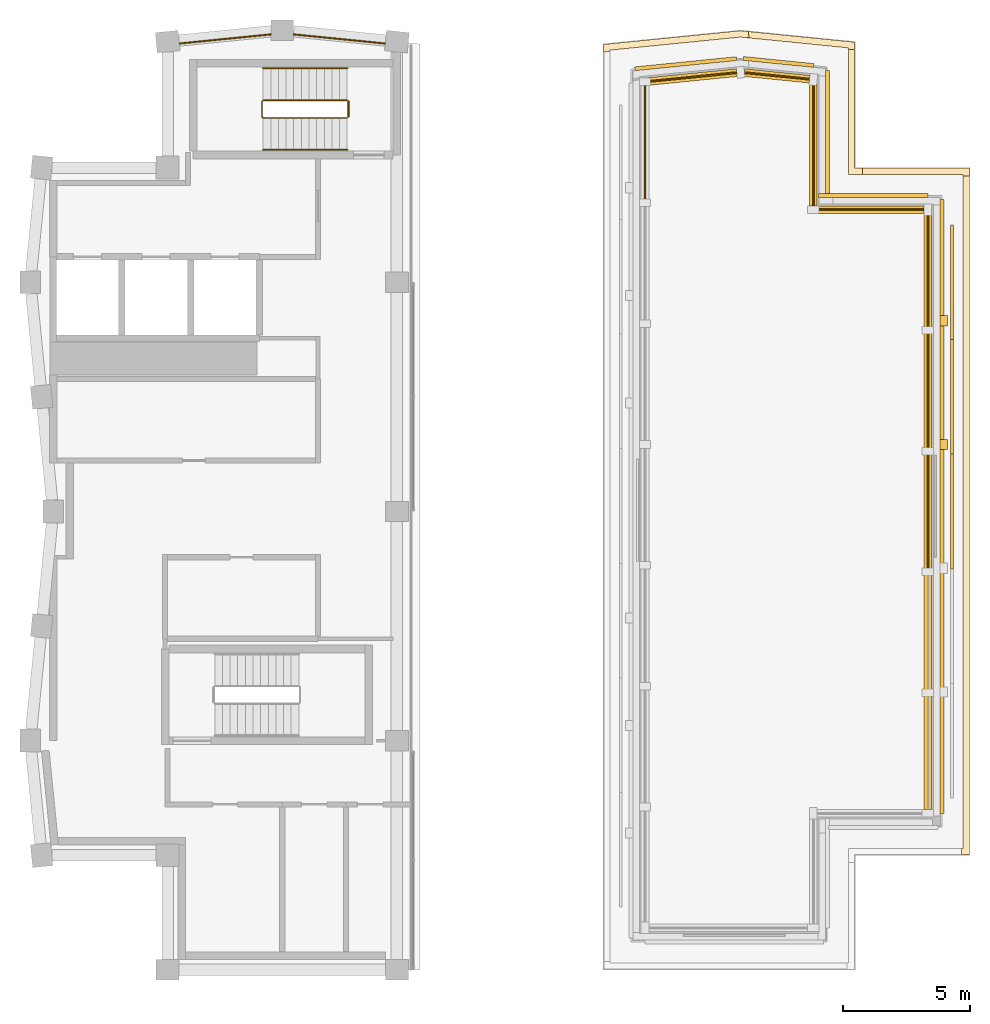
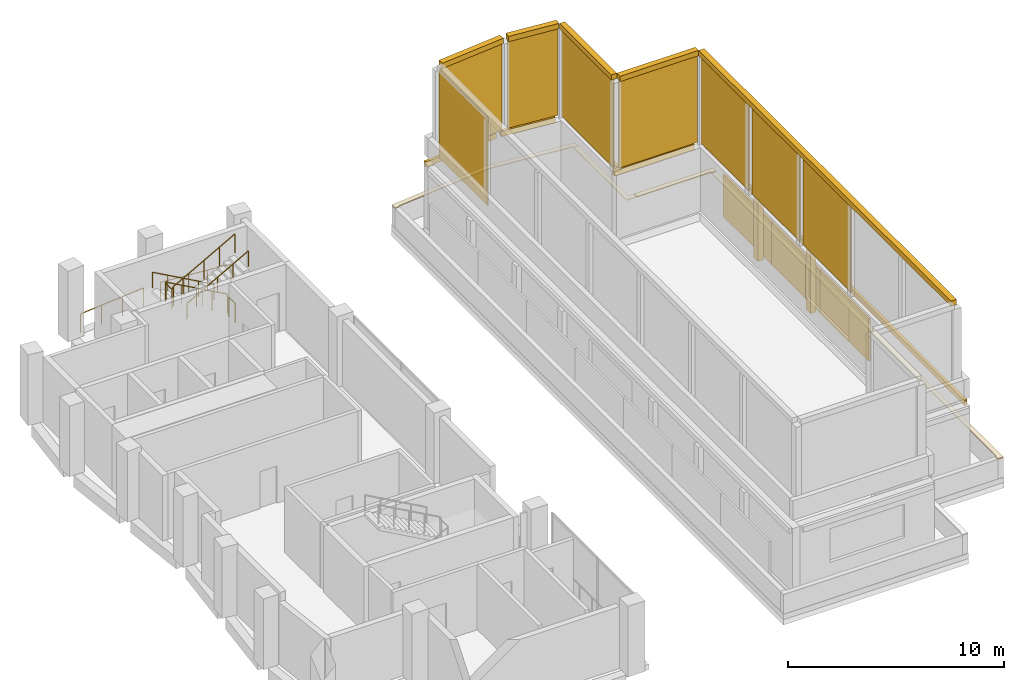
# One storey, part 8 of 8: 28 coverings, 6 railings.
"""IFC4 building model written with IfcOpenShell, lengths in metres."""

from ifc_helpers import new_model, si_unit, direction, frame, origin, origin_2d, place, context, subcontext, project, spatial, polyline, rectangle, circle, outline, extrude, material, layer, layer_set, material_profile, profile_set, type_object, element, save


model = new_model("IFC4")

# Units and contexts
model_context = context("Model", 3, precision=1e-05, world=origin(), true_north=direction((0.0, 1.0)))
body_context = subcontext(model_context, "Body", "Model", "MODEL_VIEW")
ifc_project = project(units=[si_unit("LENGTHUNIT", "METRE"), si_unit("AREAUNIT", "SQUARE_METRE"), si_unit("VOLUMEUNIT", "CUBIC_METRE"), si_unit("PLANEANGLEUNIT", "RADIAN"), si_unit("MASSUNIT", "GRAM", prefix="KILO")], contexts=[model_context])

# Site, building, storey
site_placement = place(None, origin())
site = spatial("IfcSite", under=ifc_project, at=site_placement, CompositionType="ELEMENT")
building_placement = place(site_placement, origin())
building = spatial("IfcBuilding", under=site, at=building_placement, Name="Brondeck Convention Tower", CompositionType="ELEMENT")
storey_placement = place(building_placement, frame((0.0, 0.0, 298.800048828125)))
storey = spatial("IfcBuildingStorey", under=building, at=storey_placement, Name="L74", CompositionType="ELEMENT", Elevation=298.800048828125)

# Coverings
ifc_material_1 = material(Name="Precast concrete C50/60", Category="concrete")
ifc_material_profile = material_profile(ifc_material_1, rectangle(XDim=0.300048828125, YDim=0.300048828125, at=origin_2d()), Name="Crown cap 300 x 300 Precast concrete C50/60")
ifc_profile_set = profile_set([ifc_material_profile], Name="Precast concrete C50/60")
covering_type_1 = type_object("IfcCoveringType", Name="Crown cap 300 x 300 Precast concrete C50/60", PredefinedType="MOLDING", material=ifc_profile_set)
covering_1_placement = place(storey_placement, frame((34.35498046875, 33.294921875, 9.64990234375), z_axis=(0.0, 1.0, 0.0), x_axis=(-1.0, 0.0, 0.0)))
element("IfcCovering", 1, at=covering_1_placement, inside=storey, type_object=covering_type_1, Name="ENV-CB-K2-T1-03", PredefinedType="MOLDING", context=body_context, shape_type="SweptSolid", body=[
    extrude(rectangle(XDim=0.300048828125, YDim=0.300048828125, at=origin_2d()), origin(), (0.0, 0.0, 1.0), 23.41015625),
])
covering_2_placement = place(storey_placement, frame((34.205078125, 56.85498046875, 9.64990234375), z_axis=(-1.0, 0.0, 0.0), x_axis=(0.0, -1.0, 0.0)))
element("IfcCovering", 2, at=covering_2_placement, inside=storey, type_object=covering_type_1, Name="ENV-CB-K2-T1-04", PredefinedType="MOLDING", context=body_context, shape_type="SweptSolid", body=[
    extrude(rectangle(XDim=0.300048828125, YDim=0.300048828125, at=origin_2d()), origin(), (0.0, 0.0, 1.0), 4.2001953125),
])
covering_3_placement = place(storey_placement, frame((29.85498046875, 57.0048828125, 9.64990234375), z_axis=(0.0, 1.0, 0.0), x_axis=(-1.0, 0.0, 0.0)))
element("IfcCovering", 3, at=covering_3_placement, inside=storey, type_object=covering_type_1, Name="ENV-CB-K2-T1-05", PredefinedType="MOLDING", context=body_context, shape_type="SweptSolid", body=[
    extrude(rectangle(XDim=0.300048828125, YDim=0.300048828125, at=origin_2d()), origin(), (0.0, 0.0, 1.0), 4.806396484375),
])
covering_4_placement = place(storey_placement, frame((29.705810546875, 61.976318359375, 9.64990234375), z_axis=(-0.995038131037, 0.099494310304, 0.0), x_axis=(-0.099494310304, -0.995038131037, 0.0)))
element("IfcCovering", 4, at=covering_4_placement, inside=storey, type_object=covering_type_1, Name="ENV-CB-K2-T1-06", PredefinedType="MOLDING", context=body_context, shape_type="SweptSolid", body=[
    extrude(rectangle(XDim=0.300048828125, YDim=0.300048828125, at=origin_2d()), origin(), (0.0, 0.0, 1.0), 2.569091796875),
])
covering_5_placement = place(storey_placement, frame((26.8505859375, 62.23193359375, 9.64990234375), z_axis=(-0.995035102296, -0.099524595949, 0.0), x_axis=(0.099524595949, -0.995035102296, 0.0)))
element("IfcCovering", 5, at=covering_5_placement, inside=storey, type_object=covering_type_1, Name="ENV-CB-K2-T1-07", PredefinedType="MOLDING", context=body_context, shape_type="SweptSolid", body=[
    extrude(rectangle(XDim=0.300048828125, YDim=0.300048828125, at=origin_2d()), origin(), (0.0, 0.0, 1.0), 3.4736328125),
])
ifc_material_2 = material(Name="Aluminium, bronze anodised", Category="aluminium")
ifc_layer_1 = layer(ifc_material_2, 0.06005859375)
ifc_layer_set_1 = layer_set([ifc_layer_1], Name="Crown louvre panel, bronze anodised aluminium")
covering_type_2 = type_object("IfcCoveringType", Name="Crown louvre panel, bronze anodised aluminium", PredefinedType="CLADDING", material=ifc_layer_set_1)
covering_6_placement = place(storey_placement, frame((0.0, 0.0, 4.52001953125)))
element("IfcCovering", 6, at=covering_6_placement, inside=storey, type_object=covering_type_2, Name="ENV-CL-K2-T1-03-2", PredefinedType="CLADDING", context=body_context, shape_type="SweptSolid", body=[
    extrude(outline(polyline([(34.324951171875, 47.220947265625), (34.324951171875, 42.779052734375), (34.385009765625, 42.779052734375), (34.385009765625, 47.220947265625), (34.324951171875, 47.220947265625)])), origin(), (0.0, 0.0, 1.0), 4.97998046875),
])
covering_7_placement = place(storey_placement, frame((0.0, 0.0, 4.52001953125)))
element("IfcCovering", 7, at=covering_7_placement, inside=storey, type_object=covering_type_2, Name="ENV-CL-K2-T1-03-3", PredefinedType="CLADDING", context=body_context, shape_type="SweptSolid", body=[
    extrude(outline(polyline([(34.324951171875, 51.962890625), (34.324951171875, 47.52099609375), (34.385009765625, 47.52099609375), (34.385009765625, 51.962890625), (34.324951171875, 51.962890625)])), origin(), (0.0, 0.0, 1.0), 4.97998046875),
])
covering_8_placement = place(storey_placement, frame((0.0, 0.0, 4.52001953125)))
element("IfcCovering", 8, at=covering_8_placement, inside=storey, type_object=covering_type_2, Name="ENV-CL-K2-T1-03-4", PredefinedType="CLADDING", context=body_context, shape_type="SweptSolid", body=[
    extrude(outline(polyline([(34.324951171875, 56.705078125), (34.324951171875, 52.262939453125), (34.385009765625, 52.262939453125), (34.385009765625, 56.705078125), (34.324951171875, 56.705078125)])), origin(), (0.0, 0.0, 1.0), 4.97998046875),
])
covering_9_placement = place(storey_placement, frame((0.0, 0.0, 4.52001953125)))
element("IfcCovering", 9, at=covering_9_placement, inside=storey, type_object=covering_type_2, Name="ENV-CL-K2-T1-04-0", PredefinedType="CLADDING", context=body_context, shape_type="SweptSolid", body=[
    extrude(outline(polyline([(30.0048828125, 56.824951171875), (34.205078125, 56.824951171875), (34.205078125, 56.885009765625), (30.0048828125, 56.885009765625), (30.0048828125, 56.824951171875)])), origin(), (0.0, 0.0, 1.0), 4.97998046875),
])
covering_10_placement = place(storey_placement, frame((0.0, 0.0, 4.52001953125)))
element("IfcCovering", 10, at=covering_10_placement, inside=storey, type_object=covering_type_2, Name="ENV-CL-K2-T1-05-0", PredefinedType="CLADDING", context=body_context, shape_type="SweptSolid", body=[
    extrude(outline(polyline([(29.824951171875, 61.811279296875), (29.824951171875, 57.0048828125), (29.885009765625, 57.0048828125), (29.885009765625, 61.811279296875), (29.824951171875, 61.811279296875)])), origin(), (0.0, 0.0, 1.0), 4.97998046875),
])
covering_11_placement = place(storey_placement, frame((0.0, 0.0, 4.52001953125)))
element("IfcCovering", 11, at=covering_11_placement, inside=storey, type_object=covering_type_2, Name="ENV-CL-K2-T1-06-0", PredefinedType="CLADDING", context=body_context, shape_type="SweptSolid", body=[
    extrude(outline(polyline([(27.146240234375, 62.201904296875), (29.702880859375, 61.9462890625), (29.708740234375, 62.006103515625), (27.152099609375, 62.26171875), (27.146240234375, 62.201904296875)])), origin(), (0.0, 0.0, 1.0), 4.97998046875),
])
covering_12_placement = place(storey_placement, frame((0.0, 0.0, 4.52001953125)))
element("IfcCovering", 12, at=covering_12_placement, inside=storey, type_object=covering_type_2, Name="ENV-CL-K2-T1-07-0", PredefinedType="CLADDING", context=body_context, shape_type="SweptSolid", body=[
    extrude(outline(polyline([(23.397216796875, 61.8564453125), (26.853759765625, 62.201904296875), (26.847900390625, 62.26171875), (23.391357421875, 61.916015625), (23.397216796875, 61.8564453125)])), origin(), (0.0, 0.0, 1.0), 4.97998046875),
])
covering_13_placement = place(storey_placement, frame((0.0, 0.0, 4.52001953125)))
element("IfcCovering", 13, at=covering_13_placement, inside=storey, type_object=covering_type_2, Name="ENV-CL-K2-T1-08-0", PredefinedType="CLADDING", context=body_context, shape_type="SweptSolid", body=[
    extrude(outline(polyline([(23.27490234375, 57.274658203125), (23.27490234375, 61.72119140625), (23.215087890625, 61.72119140625), (23.215087890625, 57.274658203125), (23.27490234375, 57.274658203125)])), origin(), (0.0, 0.0, 1.0), 4.97998046875),
])
ifc_material_3 = material(Name="Precast concrete C50/60 bronze finish", Category="concrete")
ifc_layer_2 = layer(ifc_material_3, 0.300048828125)
ifc_layer_set_2 = layer_set([ifc_layer_2], Name="Crown pilaster 400x300")
covering_type_3 = type_object("IfcCoveringType", Name="Crown pilaster 400x300", PredefinedType="CLADDING", material=ifc_layer_set_2)
covering_14_placement = place(storey_placement, frame((0.0, 0.0, 0.300048828125)))
element("IfcCovering", 14, at=covering_14_placement, inside=storey, type_object=covering_type_3, Name="ENV-CP-K2-T1-04-01", PredefinedType="CLADDING", context=body_context, shape_type="SweptSolid", body=[
    extrude(outline(polyline([(35.1298828125, 52.28955078125), (35.1298828125, 52.689697265625), (34.830078125, 52.689697265625), (34.830078125, 52.28955078125), (35.1298828125, 52.28955078125)])), origin(), (0.0, 0.0, 1.0), 3.449951171875),
])
covering_15_placement = place(storey_placement, frame((0.0, 0.0, 0.300048828125)))
element("IfcCovering", 15, at=covering_15_placement, inside=storey, type_object=covering_type_3, Name="ENV-CP-K2-T1-04-02", PredefinedType="CLADDING", context=body_context, shape_type="SweptSolid", body=[
    extrude(outline(polyline([(35.1298828125, 47.42919921875), (35.1298828125, 47.8291015625), (34.830078125, 47.8291015625), (34.830078125, 47.42919921875), (35.1298828125, 47.42919921875)])), origin(), (0.0, 0.0, 1.0), 3.449951171875),
])
ifc_layer_3 = layer(ifc_material_3, 0.14990234375)
ifc_layer_set_3 = layer_set([ifc_layer_3], Name="Crown tier cornice, precast")
covering_type_4 = type_object("IfcCoveringType", Name="Crown tier cornice, precast", PredefinedType="MOLDING", material=ifc_layer_set_3)
covering_16_placement = place(storey_placement, frame((0.0, 0.0, 3.75)))
element("IfcCovering", 16, at=covering_16_placement, inside=storey, type_object=covering_type_4, Name="ENV-CC-K2-T1-04", PredefinedType="MOLDING", context=body_context, shape_type="SweptSolid", body=[
    extrude(outline(polyline([(34.97998046875, 33.14794921875), (34.97998046875, 57.25), (34.830078125, 57.25), (34.830078125, 33.14794921875), (34.97998046875, 33.14794921875)])), origin(), (0.0, 0.0, 1.0), 0.300048828125),
])
covering_17_placement = place(storey_placement, frame((0.0, 0.0, 3.75)))
element("IfcCovering", 17, at=covering_17_placement, inside=storey, type_object=covering_type_4, Name="ENV-CC-K2-T1-05", PredefinedType="MOLDING", context=body_context, shape_type="SweptSolid", body=[
    extrude(outline(polyline([(34.35205078125, 57.47998046875), (30.050048828125, 57.47998046875), (30.050048828125, 57.330078125), (34.35205078125, 57.330078125), (34.35205078125, 57.47998046875)])), origin(), (0.0, 0.0, 1.0), 0.300048828125),
])
covering_18_placement = place(storey_placement, frame((0.0, 0.0, 3.75)))
element("IfcCovering", 18, at=covering_18_placement, inside=storey, type_object=covering_type_4, Name="ENV-CC-K2-T1-06", PredefinedType="MOLDING", context=body_context, shape_type="SweptSolid", body=[
    extrude(outline(polyline([(30.47998046875, 57.447998046875), (30.47998046875, 62.309326171875), (30.330078125, 62.309326171875), (30.330078125, 57.447998046875), (30.47998046875, 57.447998046875)])), origin(), (0.0, 0.0, 1.0), 0.300048828125),
])
covering_19_placement = place(storey_placement, frame((0.0, 0.0, 3.75)))
element("IfcCovering", 19, at=covering_19_placement, inside=storey, type_object=covering_type_4, Name="ENV-CC-K2-T1-07", PredefinedType="MOLDING", context=body_context, shape_type="SweptSolid", body=[
    extrude(outline(polyline([(29.87841796875, 62.587158203125), (27.1123046875, 62.86376953125), (27.097412109375, 62.714599609375), (29.86328125, 62.43798828125), (29.87841796875, 62.587158203125)])), origin(), (0.0, 0.0, 1.0), 0.300048828125),
])
covering_20_placement = place(storey_placement, frame((0.0, 0.0, 3.75)))
element("IfcCovering", 20, at=covering_20_placement, inside=storey, type_object=covering_type_4, Name="ENV-CC-K2-T1-08", PredefinedType="MOLDING", context=body_context, shape_type="SweptSolid", body=[
    extrude(outline(polyline([(26.825927734375, 62.857421875), (22.836669921875, 62.45849609375), (22.8515625, 62.309326171875), (26.8408203125, 62.708251953125), (26.825927734375, 62.857421875)])), origin(), (0.0, 0.0, 1.0), 0.300048828125),
])

# Railings
ifc_material_4 = material(Name="Steel S355, bronze painted", Category="steel")
railing_type_1 = type_object("IfcRailingType", Name="Guard, bronze steel rail and posts", PredefinedType="GUARDRAIL", material=ifc_material_4)
railing_1_placement = place(storey_placement, frame((4.9794921875, 63.37744140625, 0.0)))
element("IfcRailing", 21, at=railing_1_placement, inside=storey, type_object=railing_type_1, Name="ENV-RL-L74-REAR1", PredefinedType="GUARDRAIL", context=body_context, shape_type="SweptSolid", body=[
    extrude(circle(Radius=0.02490234375, at=origin_2d()), frame((0.0, 0.0, 1.0751953125), z_axis=(0.995037864926, 0.099496971632, 0.0), x_axis=(-0.099496971632, 0.995037864926, 0.0)), (0.0, 0.0, 1.0), 3.58251953125),
    extrude(circle(Radius=0.02490234375, at=origin_2d()), origin(), (0.0, 0.0, 1.0), 1.050048828125),
    extrude(circle(Radius=0.02490234375, at=origin_2d()), frame((1.188232421875, 0.118896484375, 0.0)), (0.0, 0.0, 1.0), 1.050048828125),
    extrude(circle(Radius=0.02490234375, at=origin_2d()), frame((2.37646484375, 0.237548828125, 0.0)), (0.0, 0.0, 1.0), 1.050048828125),
    extrude(circle(Radius=0.02490234375, at=origin_2d()), frame((3.564697265625, 0.3564453125, 0.0)), (0.0, 0.0, 1.0), 1.050048828125),
])
railing_2_placement = place(storey_placement, frame((9.455810546875, 63.73388671875, 0.0)))
element("IfcRailing", 22, at=railing_2_placement, inside=storey, type_object=railing_type_1, Name="ENV-RL-L74-REAR2", PredefinedType="GUARDRAIL", context=body_context, shape_type="SweptSolid", body=[
    extrude(circle(Radius=0.02490234375, at=origin_2d()), frame((0.0, 0.0, 1.0751953125), z_axis=(0.995037864926, -0.099496971632, 0.0), x_axis=(0.099496971632, 0.995037864926, 0.0)), (0.0, 0.0, 1.0), 3.58251953125),
    extrude(circle(Radius=0.02490234375, at=origin_2d()), origin(), (0.0, 0.0, 1.0), 1.050048828125),
    extrude(circle(Radius=0.02490234375, at=origin_2d()), frame((1.188232421875, -0.118896484375, 0.0)), (0.0, 0.0, 1.0), 1.050048828125),
    extrude(circle(Radius=0.02490234375, at=origin_2d()), frame((2.37646484375, -0.237548828125, 0.0)), (0.0, 0.0, 1.0), 1.050048828125),
    extrude(circle(Radius=0.02490234375, at=origin_2d()), frame((3.564697265625, -0.3564453125, 0.0)), (0.0, 0.0, 1.0), 1.050048828125),
])

# Coverings
ifc_layer_4 = layer(ifc_material_1, 0.050048828125)
ifc_layer_set_4 = layer_set([ifc_layer_4], Name="Parapet coping, precast")
covering_type_5 = type_object("IfcCoveringType", Name="Parapet coping, precast", PredefinedType="MOLDING", material=ifc_layer_set_4)
covering_21_placement = place(storey_placement, frame((0.0, 0.0, 1.39990234375)))
element("IfcCovering", 23, at=covering_21_placement, inside=storey, type_object=covering_type_5, Name="ENV-ROOF-K2-PA-01-CP", PredefinedType="MOLDING", context=body_context, shape_type="SweptSolid", body=[
    extrude(outline(polyline([(27.328369140625, 63.611083984375), (27.304443359375, 63.849365234375), (27.0, 63.8798828125), (21.6201171875, 63.341796875), (21.6201171875, 63.040283203125), (21.64990234375, 63.04345703125), (21.8701171875, 63.0654296875), (21.8701171875, 63.11572265625), (27.0, 63.628662109375), (27.251220703125, 63.603515625), (27.328369140625, 63.611083984375)])), origin(), (0.0, 0.0, 1.0), 0.050048828125),
])
covering_22_placement = place(storey_placement, frame((0.0, 0.0, 1.39990234375)))
element("IfcCovering", 24, at=covering_22_placement, inside=storey, type_object=covering_type_5, Name="ENV-ROOF-K2-PA-02-CP", PredefinedType="MOLDING", context=body_context, shape_type="SweptSolid", body=[
    extrude(outline(polyline([(31.22998046875, 63.205810546875), (31.22998046875, 63.155517578125), (31.47998046875, 63.13037109375), (31.47998046875, 63.431884765625), (27.3056640625, 63.849365234375), (27.329345703125, 63.611328125), (27.329345703125, 63.611083984375), (27.329345703125, 63.611083984375), (27.329345703125, 63.611083984375), (27.329345703125, 63.611083984375), (27.329345703125, 63.61083984375), (27.3291015625, 63.61083984375), (27.3291015625, 63.610595703125), (27.3291015625, 63.610595703125), (27.3291015625, 63.610595703125), (27.3291015625, 63.610595703125), (27.328857421875, 63.6103515625), (27.328857421875, 63.6103515625), (27.32861328125, 63.6103515625), (27.32861328125, 63.6103515625), (27.32861328125, 63.6103515625), (27.32861328125, 63.610107421875), (27.25634765625, 63.60302734375), (31.22998046875, 63.205810546875)])), origin(), (0.0, 0.0, 1.0), 0.050048828125),
])
covering_23_placement = place(storey_placement, frame((0.0, 0.0, 1.39990234375)))
element("IfcCovering", 25, at=covering_23_placement, inside=storey, type_object=covering_type_5, Name="ENV-ROOF-K2-PA-03-CP", PredefinedType="MOLDING", context=body_context, shape_type="SweptSolid", body=[
    extrude(outline(polyline([(31.22998046875, 58.22998046875), (31.780029296875, 58.22998046875), (31.780029296875, 58.47998046875), (31.47998046875, 58.47998046875), (31.47998046875, 63.12939453125), (31.47998046875, 63.12939453125), (31.47998046875, 63.12939453125), (31.22998046875, 63.154296875), (31.22998046875, 58.22998046875)])), origin(), (0.0, 0.0, 1.0), 0.050048828125),
])
covering_24_placement = place(storey_placement, frame((0.0, 0.0, 1.39990234375)))
element("IfcCovering", 26, at=covering_24_placement, inside=storey, type_object=covering_type_5, Name="ENV-ROOF-K2-PA-04-CP", PredefinedType="MOLDING", context=body_context, shape_type="SweptSolid", body=[
    extrude(outline(polyline([(35.72998046875, 58.22998046875), (35.72998046875, 58.179931640625), (35.97998046875, 58.179931640625), (35.97998046875, 58.47998046875), (31.781005859375, 58.47998046875), (31.781005859375, 58.22998046875), (35.72998046875, 58.22998046875)])), origin(), (0.0, 0.0, 1.0), 0.050048828125),
])
covering_25_placement = place(storey_placement, frame((0.0, 0.0, 1.39990234375)))
element("IfcCovering", 27, at=covering_25_placement, inside=storey, type_object=covering_type_5, Name="ENV-ROOF-K2-PA-05-CP", PredefinedType="MOLDING", context=body_context, shape_type="SweptSolid", body=[
    extrude(outline(polyline([(35.72998046875, 31.77001953125), (35.679931640625, 31.77001953125), (35.679931640625, 31.52001953125), (35.97998046875, 31.52001953125), (35.97998046875, 58.178955078125), (35.72998046875, 58.178955078125), (35.72998046875, 31.77001953125)])), origin(), (0.0, 0.0, 1.0), 0.050048828125),
])
ifc_layer_5 = layer(ifc_material_2, 0.10009765625)
ifc_layer_set_5 = layer_set([ifc_layer_5], Name="Plant screen LOUVRE cladding")
covering_type_6 = type_object("IfcCoveringType", Name="Plant screen LOUVRE cladding", PredefinedType="CLADDING", material=ifc_layer_set_5)
for number, where, z_axis, x_axis, name in (
    (28, (35.300048828125, 45.0, 0.300048828125), (0.0, 0.0, 1.0), (0.0, 1.0, 0.0), "ENV-ROOF-K2-LV10"),
    (29, (35.300048828125, 49.5, 0.300048828125), (0.0, 0.0, 1.0), (0.0, 1.0, 0.0), "ENV-ROOF-K2-LV11"),
    (30, (35.300048828125, 54.0, 0.300048828125), (0.0, 0.0, 1.0), (0.0, 1.0, 0.0), "ENV-ROOF-K2-LV12"),
):
    element("IfcCovering", number, at=place(storey_placement, frame(where, z_axis=z_axis, x_axis=x_axis)), inside=storey, type_object=covering_type_6, Name=name, PredefinedType="CLADDING", context=body_context, shape_type="SweptSolid", body=[
        extrude(rectangle(XDim=4.5, YDim=0.10009765625, at=origin_2d()), origin(), (0.0, 0.0, 1.0), 2.39990234375),
    ])

# Railings
ifc_material_5 = material(Name="Steel S355", Category="steel")
railing_type_2 = type_object("IfcRailingType", Name="Stair guard 1100", PredefinedType="GUARDRAIL", material=ifc_material_5)
railing_3_placement = place(storey_placement, frame((11.550048828125, 61.14990234375, 0.16650390625)))
element("IfcRailing", 31, at=railing_3_placement, inside=storey, type_object=railing_type_2, Name="L74 ST-3 stair guard 1", PredefinedType="GUARDRAIL", context=body_context, shape_type="SweptSolid", body=[
    extrude(circle(Radius=0.02392578125, at=origin_2d()), frame((0.0, 0.0, 1.076171875), z_axis=(-0.874142023373, 0.0, 0.48567038511), x_axis=(0.0, -1.0, 0.0)), (0.0, 0.0, 1.0), 3.775146484375),
    extrude(circle(Radius=0.02392578125, at=origin_2d()), frame((-3.300048828125, 0.0, 2.90966796875), z_axis=(-0.708833529934, -0.705375805398, 0.0), x_axis=(0.705375805398, -0.708833529934, 0.0)), (0.0, 0.0, 1.0), 0.070556640625),
    extrude(circle(Radius=0.02392578125, at=origin_2d()), frame((-3.35009765625, -0.0498046875, 2.90966796875), z_axis=(0.0, -1.0, 0.0), x_axis=(1.0, 0.0, 0.0)), (0.0, 0.0, 1.0), 0.60009765625),
    extrude(circle(Radius=0.02392578125, at=origin_2d()), frame((-3.35009765625, -0.64990234375, 2.90966796875), z_axis=(0.27662974545, -0.27662974545, 0.920299933644), x_axis=(0.707106781187, 0.707106781187, 0.0)), (0.0, 0.0, 1.0), 0.180908203125),
    extrude(circle(Radius=0.02392578125, at=origin_2d()), frame((-3.300048828125, -0.699951171875, 3.076171875), z_axis=(0.874142023373, 0.0, 0.48567038511), x_axis=(0.0, 1.0, 0.0)), (0.0, 0.0, 1.0), 3.775146484375),
    extrude(circle(Radius=0.02099609375, at=origin_2d()), origin(), (0.0, 0.0, 1.0), 1.052001953125),
    extrude(circle(Radius=0.02099609375, at=origin_2d()), frame((-0.824951171875, 0.0, 0.45849609375)), (0.0, 0.0, 1.0), 1.052001953125),
    extrude(circle(Radius=0.02099609375, at=origin_2d()), frame((-1.64990234375, 0.0, 0.916748046875)), (0.0, 0.0, 1.0), 1.052001953125),
    extrude(circle(Radius=0.02099609375, at=origin_2d()), frame((-2.47509765625, 0.0, 1.375)), (0.0, 0.0, 1.0), 1.052001953125),
    extrude(circle(Radius=0.02099609375, at=origin_2d()), frame((-3.300048828125, 0.0, 1.83349609375)), (0.0, 0.0, 1.0), 1.052001953125),
    extrude(circle(Radius=0.02099609375, at=origin_2d()), frame((-3.35009765625, -0.0498046875, 1.83349609375)), (0.0, 0.0, 1.0), 1.052001953125),
    extrude(circle(Radius=0.02099609375, at=origin_2d()), frame((-3.35009765625, -0.64990234375, 1.83349609375)), (0.0, 0.0, 1.0), 1.052001953125),
    extrude(circle(Radius=0.02099609375, at=origin_2d()), frame((-3.300048828125, -0.699951171875, 2.0)), (0.0, 0.0, 1.0), 1.052001953125),
    extrude(circle(Radius=0.02099609375, at=origin_2d()), frame((-2.47509765625, -0.699951171875, 2.45849609375)), (0.0, 0.0, 1.0), 1.052001953125),
    extrude(circle(Radius=0.02099609375, at=origin_2d()), frame((-1.64990234375, -0.699951171875, 2.916748046875)), (0.0, 0.0, 1.0), 1.052001953125),
    extrude(circle(Radius=0.02099609375, at=origin_2d()), frame((-0.824951171875, -0.699951171875, 3.375)), (0.0, 0.0, 1.0), 1.052001953125),
    extrude(circle(Radius=0.02099609375, at=origin_2d()), frame((0.0, -0.699951171875, 3.83349609375)), (0.0, 0.0, 1.0), 1.052001953125),
])
railing_4_placement = place(storey_placement, frame((11.60009765625, 61.10009765625, 0.0)))
element("IfcRailing", 32, at=railing_4_placement, inside=storey, type_object=railing_type_2, Name="L74 ST-3 stair guard 2", PredefinedType="GUARDRAIL", context=body_context, shape_type="SweptSolid", body=[
    extrude(circle(Radius=0.02392578125, at=origin_2d()), frame((0.0, 0.0, 1.076171875), z_axis=(0.0, -1.0, 0.0), x_axis=(1.0, 0.0, 0.0)), (0.0, 0.0, 1.0), 0.60009765625),
    extrude(circle(Radius=0.02099609375, at=origin_2d()), origin(), (0.0, 0.0, 1.0), 1.052001953125),
    extrude(circle(Radius=0.02099609375, at=origin_2d()), frame((0.0, -0.60009765625, 0.0)), (0.0, 0.0, 1.0), 1.052001953125),
])
railing_type_3 = type_object("IfcRailingType", Name="Stair handrail", PredefinedType="HANDRAIL", material=ifc_material_5)
railing_5_placement = place(storey_placement, frame((11.550048828125, 62.39990234375, 0.16650390625)))
element("IfcRailing", 33, at=railing_5_placement, inside=storey, type_object=railing_type_3, Name="L74 ST-3 stair handrail 1", PredefinedType="HANDRAIL", context=body_context, shape_type="SweptSolid", body=[
    extrude(circle(Radius=0.02392578125, at=origin_2d()), frame((0.0, 0.0, 0.8759765625), z_axis=(-0.874142023373, 0.0, 0.48567038511), x_axis=(0.0, -1.0, 0.0)), (0.0, 0.0, 1.0), 3.775146484375),
    extrude(circle(Radius=0.02099609375, at=origin_2d()), origin(), (0.0, 0.0, 1.0), 0.851806640625),
    extrude(circle(Radius=0.02099609375, at=origin_2d()), frame((-0.824951171875, 0.0, 0.45849609375)), (0.0, 0.0, 1.0), 0.851806640625),
    extrude(circle(Radius=0.02099609375, at=origin_2d()), frame((-1.64990234375, 0.0, 0.916748046875)), (0.0, 0.0, 1.0), 0.851806640625),
    extrude(circle(Radius=0.02099609375, at=origin_2d()), frame((-2.47509765625, 0.0, 1.375)), (0.0, 0.0, 1.0), 0.851806640625),
    extrude(circle(Radius=0.02099609375, at=origin_2d()), frame((-3.300048828125, 0.0, 1.83349609375)), (0.0, 0.0, 1.0), 0.851806640625),
])
railing_6_placement = place(storey_placement, frame((8.25, 59.199951171875, 2.16650390625)))
element("IfcRailing", 34, at=railing_6_placement, inside=storey, type_object=railing_type_3, Name="L74 ST-3 stair handrail 2", PredefinedType="HANDRAIL", context=body_context, shape_type="SweptSolid", body=[
    extrude(circle(Radius=0.02392578125, at=origin_2d()), frame((0.0, 0.0, 0.8759765625), z_axis=(0.874142023373, 0.0, 0.48567038511), x_axis=(0.0, 1.0, 0.0)), (0.0, 0.0, 1.0), 3.775146484375),
    extrude(circle(Radius=0.02099609375, at=origin_2d()), origin(), (0.0, 0.0, 1.0), 0.851806640625),
    extrude(circle(Radius=0.02099609375, at=origin_2d()), frame((0.824951171875, 0.0, 0.45849609375)), (0.0, 0.0, 1.0), 0.851806640625),
    extrude(circle(Radius=0.02099609375, at=origin_2d()), frame((1.64990234375, 0.0, 0.916748046875)), (0.0, 0.0, 1.0), 0.851806640625),
    extrude(circle(Radius=0.02099609375, at=origin_2d()), frame((2.47509765625, 0.0, 1.375)), (0.0, 0.0, 1.0), 0.851806640625),
    extrude(circle(Radius=0.02099609375, at=origin_2d()), frame((3.300048828125, 0.0, 1.83349609375)), (0.0, 0.0, 1.0), 0.851806640625),
])

save(model, "model.ifc")
